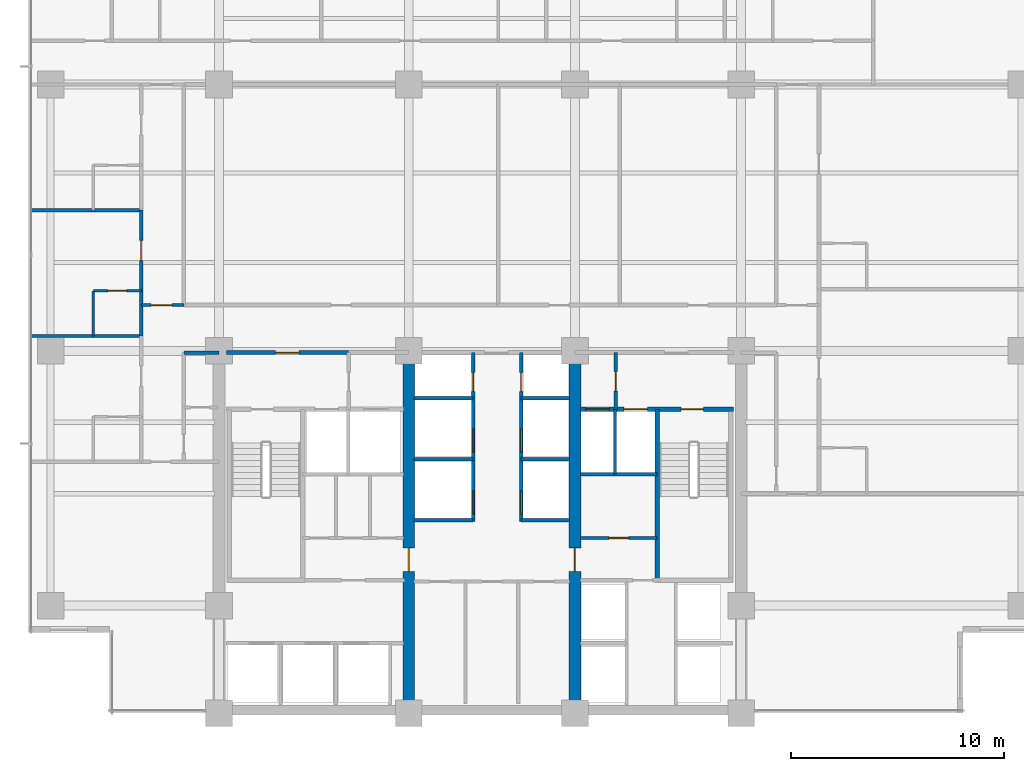
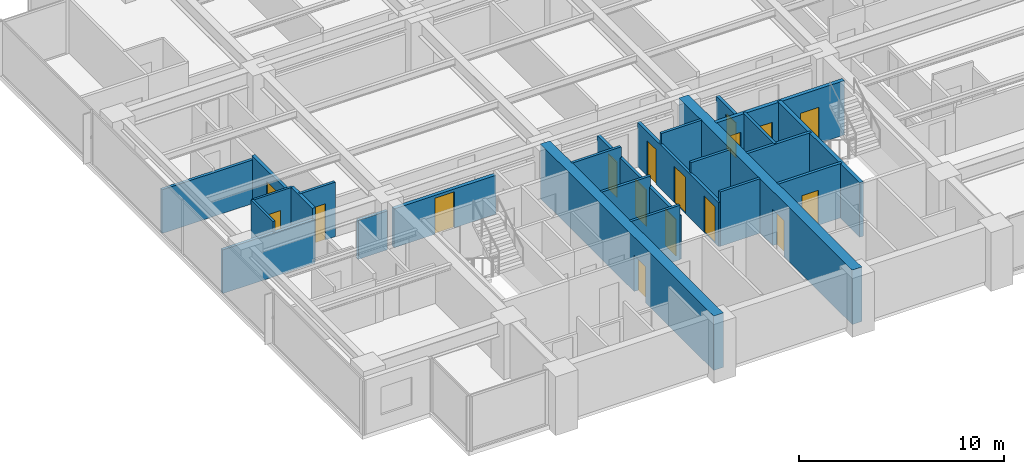
# One storey, part 9 of 17: 25 walls, 17 doors, 17 openings.
"""IFC4 building model written with IfcOpenShell, lengths in metres."""

import ifcopenshell
import ifcopenshell.guid

model = None  # the IFC model being written
_history = None  # IfcOwnerHistory: only IFC2X3 demands one
_inside = {}  # id of a spatial element -> (the spatial element, [elements in it])
_under = {}  # id of a project, library or spatial element -> (it, [spatial elements below it])
_declared = {}  # id of a project -> (the project, [libraries it declares])
_typed = {}  # id of a type object -> (the type object, [elements of that type])
_made_of = {}  # id of a material, layer set ... -> (it, [elements and type objects made of it])


def new_model(schema):
    """Start an empty IFC model of exactly this schema.

    Asked for "IFC4X3", IfcOpenShell would pick the latest addendum, in which some entities
    have other attributes; the version numbers below select the first issue.
    IFC2X3 requires an IfcOwnerHistory on every rooted entity: one is made here for all.
    """
    global model, _history
    if schema == "IFC4X3":
        model = ifcopenshell.file(schema_version=(4, 3, 0, 0))
    else:
        model = ifcopenshell.file(schema=schema)
    _inside.clear()
    _under.clear()
    _declared.clear()
    _typed.clear()
    _made_of.clear()
    _history = None
    if model.schema == "IFC2X3":
        org = make("IfcOrganization", Name="unknown")
        user = make(
            "IfcPersonAndOrganization",
            ThePerson=make("IfcPerson", FamilyName="unknown"),
            TheOrganization=org,
        )
        app = make(
            "IfcApplication",
            ApplicationDeveloper=org,
            Version="unknown",
            ApplicationFullName="unknown",
            ApplicationIdentifier="unknown",
        )
        _history = make(
            "IfcOwnerHistory",
            OwningUser=user,
            OwningApplication=app,
            ChangeAction="ADDED",
            CreationDate=0,
        )
    return model


def make(cls, **values):
    """One entity of the class cls with the attributes given. An attribute that is None is left unset."""
    return model.create_entity(
        cls, **{name: value for name, value in values.items() if value is not None}
    )


def rooted(cls, **values):
    """An entity with a GlobalId (a new one), such as an element, a storey or a relation."""
    return make(cls, GlobalId=ifcopenshell.guid.new(), OwnerHistory=_history, **values)


def si_unit(unit_type, name, prefix=None):
    """IfcSIUnit, for example si_unit("LENGTHUNIT", "METRE", prefix="MILLI")."""
    return make("IfcSIUnit", UnitType=unit_type, Prefix=prefix, Name=name)


def assignment(units):
    """IfcUnitAssignment: the units of a project."""
    return None if units is None else make("IfcUnitAssignment", Units=units)


def point(xyz):
    """IfcCartesianPoint."""
    return None if xyz is None else make("IfcCartesianPoint", Coordinates=xyz)


def direction(xyz):
    """IfcDirection."""
    return None if xyz is None else make("IfcDirection", DirectionRatios=xyz)


def frame(location, z_axis=None, x_axis=None):
    """IfcAxis2Placement3D, a coordinate frame: its origin and axes. An axis left out is left unset."""
    return make(
        "IfcAxis2Placement3D",
        Location=point(location),
        Axis=direction(z_axis),
        RefDirection=direction(x_axis),
    )


def frame_2d(location, x_axis=None):
    """IfcAxis2Placement2D, a coordinate frame in the plane: its origin and x axis."""
    return make(
        "IfcAxis2Placement2D", Location=point(location), RefDirection=direction(x_axis)
    )


def origin():
    """The frame at (0, 0, 0) with its axes left unset."""
    return frame((0.0, 0.0, 0.0))


def place(relative_to, where):
    """IfcLocalPlacement: puts the frame where relative to a parent placement (None: the world)."""
    return make(
        "IfcLocalPlacement", PlacementRelTo=relative_to, RelativePlacement=where
    )


def context(
    kind, dimensions, precision=None, world=None, true_north=None, identifier=None
):
    """IfcGeometricRepresentationContext, for example the 3D "Model" context."""
    return make(
        "IfcGeometricRepresentationContext",
        ContextIdentifier=identifier,
        ContextType=kind,
        CoordinateSpaceDimension=dimensions,
        Precision=precision,
        WorldCoordinateSystem=world,
        TrueNorth=true_north,
    )


def subcontext(parent, identifier, kind, view, scale=None):
    """IfcGeometricRepresentationSubContext, for example "Body" below "Model"."""
    return make(
        "IfcGeometricRepresentationSubContext",
        ContextIdentifier=identifier,
        ContextType=kind,
        ParentContext=parent,
        TargetScale=scale,
        TargetView=view,
    )


def project(units=None, contexts=None):
    """IfcProject with its units and contexts."""
    return rooted(
        "IfcProject",
        Name="project",
        RepresentationContexts=contexts,
        UnitsInContext=assignment(units),
    )


def spatial(cls, under=None, at=None, **own):
    """A site, building, storey or space (cls), placed at a placement, below another one or the project."""
    s = rooted(cls, ObjectPlacement=at, **own)
    if under is not None:
        _under.setdefault(under.id(), (under, []))[1].append(s)
    return s


def profile(cls, at=None, kind="AREA", **sizes):
    """A parametric profile (cls). Its sizes go by their IFC names, for example OverallWidth=200.0."""
    return make(cls, ProfileType=kind, Position=at, **sizes)


def rectangle(**sizes):
    """IfcRectangleProfileDef."""
    return profile("IfcRectangleProfileDef", **sizes)


def extrude(swept, where, along, depth):
    """IfcExtrudedAreaSolid: the profile swept, set in the frame where, extruded along a direction by depth."""
    return make(
        "IfcExtrudedAreaSolid",
        SweptArea=swept,
        Position=where,
        ExtrudedDirection=direction(along),
        Depth=depth,
    )


def shape(context_of_items, identifier, shape_type, items):
    """IfcShapeRepresentation: the items that make up one representation, for example the "Body"."""
    return make(
        "IfcShapeRepresentation",
        ContextOfItems=context_of_items,
        RepresentationIdentifier=identifier,
        RepresentationType=shape_type,
        Items=items,
    )


def material(Name=None, Category=None):
    """IfcMaterial."""
    return make("IfcMaterial", Name=Name, Category=Category)


def layer(
    of_material, thickness, ventilated=None, Name=None, Category=None, Priority=None
):
    """IfcMaterialLayer: one layer of a wall or slab, of a material (None: an air gap)."""
    return make(
        "IfcMaterialLayer",
        Material=of_material,
        LayerThickness=thickness,
        IsVentilated=ventilated,
        Name=Name,
        Category=Category,
        Priority=Priority,
    )


def layer_set(layers, Name=None):
    """IfcMaterialLayerSet."""
    return make("IfcMaterialLayerSet", MaterialLayers=layers, LayerSetName=Name)


def made_of(thing, what):
    """Note that an element or type object is made of a material, layer set ...; save() writes the relation."""
    if what is not None:
        _made_of.setdefault(what.id(), (what, []))[1].append(thing)
    return thing


def type_object(cls, material=None, **own):
    """A type object (cls), such as IfcWallType, which elements share."""
    return made_of(rooted(cls, **own), material)


def element(
    cls,
    number,
    at=None,
    inside=None,
    cuts=None,
    type_object=None,
    material=None,
    context=None,
    identifier="Body",
    shape_type=None,
    held_by="IfcProductDefinitionShape",
    body=None,
    shapes=None,
    **own,
):
    """One element of the class cls, such as IfcWall. Its Tag is "e" and its number.

    at: its placement. inside: the storey or other place that contains it. cuts: it is an
    opening in that element (IfcRelVoidsElement). A single representation is given by context,
    identifier, shape_type and body (its items); several are given by shapes. held_by: the class
    of the entity that holds the representations. save() writes the other relations.
    """
    e = rooted(cls, Tag="e%d" % number, ObjectPlacement=at, **own)
    if body is not None:
        shapes = [shape(context, identifier, shape_type, body)]
    if shapes is not None:
        e.Representation = make(held_by, Representations=shapes)
    if inside is not None:
        _inside.setdefault(inside.id(), (inside, []))[1].append(e)
    if cuts is not None:
        rooted(
            "IfcRelVoidsElement", RelatingBuildingElement=cuts, RelatedOpeningElement=e
        )
    if type_object is not None:
        _typed.setdefault(type_object.id(), (type_object, []))[1].append(e)
    return made_of(e, material)


def fill(opening, filler):
    """IfcRelFillsElement: the door or window that sits in an opening."""
    return rooted(
        "IfcRelFillsElement",
        RelatingOpeningElement=opening,
        RelatedBuildingElement=filler,
    )


def aggregate(whole, parts):
    """IfcRelAggregates: a whole, such as a stair, and the parts it consists of."""
    return rooted("IfcRelAggregates", RelatingObject=whole, RelatedObjects=parts)


def save(model, path):
    """Write the relations noted so far, then the file.

    IfcRelAggregates (storeys below a building ...), IfcRelContainedInSpatialStructure (elements
    in a storey), IfcRelDefinesByType, IfcRelAssociatesMaterial and IfcRelDeclares: one each for
    every whole, place, type object, material and project.
    """
    for whole, parts in _under.values():
        aggregate(whole, parts)
    for where, things in _inside.values():
        rooted(
            "IfcRelContainedInSpatialStructure",
            RelatedElements=things,
            RelatingStructure=where,
        )
    for kind, things in _typed.values():
        rooted("IfcRelDefinesByType", RelatedObjects=things, RelatingType=kind)
    for what, things in _made_of.values():
        rooted("IfcRelAssociatesMaterial", RelatedObjects=things, RelatingMaterial=what)
    for by, libraries in _declared.values():
        rooted("IfcRelDeclares", RelatingContext=by, RelatedDefinitions=libraries)
    model.write(path)


model = new_model("IFC4")

# Units and contexts
model_context = context("Model", 3, precision=1e-05, world=origin(), true_north=direction((0.0, 1.0)))
body_context = subcontext(model_context, "Body", "Model", "MODEL_VIEW")
ifc_project = project(units=[si_unit("LENGTHUNIT", "METRE"), si_unit("AREAUNIT", "SQUARE_METRE"), si_unit("VOLUMEUNIT", "CUBIC_METRE"), si_unit("PLANEANGLEUNIT", "RADIAN"), si_unit("MASSUNIT", "GRAM", prefix="KILO")], contexts=[model_context])

# Site, building, storey
site_placement = place(None, origin())
site = spatial("IfcSite", under=ifc_project, at=site_placement, CompositionType="ELEMENT")
building_placement = place(site_placement, origin())
building = spatial("IfcBuilding", under=site, at=building_placement, Name="Qalmaran Belvedere Hotel", CompositionType="ELEMENT")
storey_placement = place(building_placement, frame((0.0, 0.0, 98.699951171875)))
storey = spatial("IfcBuildingStorey", under=building, at=storey_placement, Name="L24", CompositionType="ELEMENT", Elevation=98.699951171875)

# Wall, opening, door
ifc_material_1 = material(Name="Concrete C60/75", Category="concrete")
ifc_layer_1 = layer(ifc_material_1, 0.550048828125, Name="Concrete C60/75")
ifc_layer_set_1 = layer_set([ifc_layer_1], Name="Concrete C60/75")
wall_type_1 = type_object("IfcWallType", Name="WL-CORE-550-C60", PredefinedType="SHEAR", material=ifc_layer_set_1)
wall_1_placement = place(storey_placement, frame((29.199951171875, 3.5, 0.0), z_axis=(0.0, 0.0, 1.0), x_axis=(0.0, 1.0, 0.0)))
wall_1 = element("IfcWall", 1, at=wall_1_placement, inside=storey, type_object=wall_type_1, Name="L24 Core West Spine Shear Wall", PredefinedType="SHEAR", context=body_context, shape_type="SweptSolid", body=[
    extrude(rectangle(XDim=16.89990234375, YDim=0.550048828125, at=frame_2d((8.449951171875, 0.0))), origin(), (0.0, 0.0, 1.0), 3.239990234375),
])
opening_1_placement = place(wall_1_placement, frame((7.75, 0.0, 0.0), z_axis=(0.0, 0.0, 1.0), x_axis=(-1.0, 0.0, 0.0)))
opening_1 = element("IfcOpeningElement", 2, at=opening_1_placement, cuts=wall_1, Name="Opening FD90", PredefinedType="OPENING", context=body_context, shape_type="SweptSolid", body=[
    extrude(rectangle(XDim=1.10009765625, YDim=2.14990234375, at=frame_2d((0.550048828125, 1.074951171875))), frame((0.0, 0.28515625, 0.0), z_axis=(0.0, -1.0, 0.0), x_axis=(1.0, 0.0, 0.0)), (0.0, 0.0, 1.0), 0.570068359375),
])
ifc_material_2 = material(Name="Steel S355JR", Category="steel")
door_type_1 = type_object("IfcDoorType", Name="DR-FD90-1100X2150", OperationType="NOTDEFINED", PredefinedType="DOOR", material=ifc_material_2)
door_1_placement = place(opening_1_placement, origin())
door_1 = element("IfcDoor", 3, at=door_1_placement, inside=storey, type_object=door_type_1, Name="L24 Core West Cross-Lobby Door", OperationType="SINGLE_SWING_LEFT", OverallHeight=2.14990234375, OverallWidth=1.10009765625, PredefinedType="DOOR", context=body_context, shape_type="SweptSolid", body=[
    extrude(rectangle(XDim=1.10009765625, YDim=2.14990234375, at=frame_2d((0.550048828125, 1.074951171875))), frame((0.0, 0.02490234375, 0.0), z_axis=(0.0, -1.0, 0.0), x_axis=(1.0, 0.0, 0.0)), (0.0, 0.0, 1.0), 0.050048828125),
])
fill(opening_1, door_1)

wall_2_placement = place(storey_placement, frame((37.0, 3.5, 0.0), z_axis=(0.0, 0.0, 1.0), x_axis=(0.0, 1.0, 0.0)))
wall_2 = element("IfcWall", 4, at=wall_2_placement, inside=storey, type_object=wall_type_1, Name="L24 Core East Spine Shear Wall", PredefinedType="SHEAR", context=body_context, shape_type="SweptSolid", body=[
    extrude(rectangle(XDim=16.89990234375, YDim=0.550048828125, at=frame_2d((8.449951171875, 0.0))), origin(), (0.0, 0.0, 1.0), 3.239990234375),
])
opening_2_placement = place(wall_2_placement, frame((6.64990234375, 0.0, 0.0)))
opening_2 = element("IfcOpeningElement", 5, at=opening_2_placement, cuts=wall_2, Name="Opening FD90", PredefinedType="OPENING", context=body_context, shape_type="SweptSolid", body=[
    extrude(rectangle(XDim=1.10009765625, YDim=2.14990234375, at=frame_2d((0.550048828125, 1.074951171875))), frame((0.0, 0.28515625, 0.0), z_axis=(0.0, -1.0, 0.0), x_axis=(1.0, 0.0, 0.0)), (0.0, 0.0, 1.0), 0.570068359375),
])
door_2_placement = place(opening_2_placement, origin())
door_2 = element("IfcDoor", 6, at=door_2_placement, inside=storey, type_object=door_type_1, Name="L24 Core East Cross-Lobby Door", OperationType="SINGLE_SWING_RIGHT", OverallHeight=2.14990234375, OverallWidth=1.10009765625, PredefinedType="DOOR", context=body_context, shape_type="SweptSolid", body=[
    extrude(rectangle(XDim=1.10009765625, YDim=2.14990234375, at=frame_2d((0.550048828125, 1.074951171875))), frame((0.0, 0.02490234375, 0.0), z_axis=(0.0, -1.0, 0.0), x_axis=(1.0, 0.0, 0.0)), (0.0, 0.0, 1.0), 0.050048828125),
])
fill(opening_2, door_2)

ifc_material_3 = material(Name="Moisture-Resistant Gypsum")
ifc_layer_2 = layer(ifc_material_3, 0.1201171875, Name="Moisture-Resistant Gypsum")
ifc_layer_set_2 = layer_set([ifc_layer_2], Name="Moisture-Resistant Gypsum")
wall_type_2 = type_object("IfcWallType", Name="WL-INT-120-BATH", PredefinedType="PARTITIONING", material=ifc_layer_set_2)
wall_3_placement = place(storey_placement, frame((14.39990234375, 23.320068359375, 0.0), z_axis=(0.0, 0.0, 1.0), x_axis=(1.0, 0.0, 0.0)))
wall_3 = element("IfcWall", 7, at=wall_3_placement, inside=storey, type_object=wall_type_2, Name="L24 Partition WL-L24-WBN01", PredefinedType="PARTITIONING", context=body_context, shape_type="SweptSolid", body=[
    extrude(rectangle(XDim=2.25, YDim=0.1201171875, at=frame_2d((1.125, 0.0))), origin(), (0.0, 0.0, 1.0), 3.239990234375),
])
opening_3_placement = place(wall_3_placement, frame((1.56494140625, 0.0, 0.0), z_axis=(0.0, 0.0, 1.0), x_axis=(-1.0, 0.0, 0.0)))
opening_3 = element("IfcOpeningElement", 8, at=opening_3_placement, cuts=wall_3, Name="Opening D-BATH", PredefinedType="OPENING", context=body_context, shape_type="SweptSolid", body=[
    extrude(rectangle(XDim=0.8798828125, YDim=2.080078125, at=frame_2d((0.43994140625, 1.0400390625))), frame((0.0, 0.070068359375, 0.0), z_axis=(0.0, -1.0, 0.0), x_axis=(1.0, 0.0, 0.0)), (0.0, 0.0, 1.0), 0.14013671875),
])
ifc_material_4 = material(Name="Engineered Oak Veneer")
door_type_2 = type_object("IfcDoorType", Name="DR-INT-BATH-880X2080", OperationType="NOTDEFINED", PredefinedType="DOOR", material=ifc_material_4)
door_3_placement = place(opening_3_placement, origin())
door_3 = element("IfcDoor", 9, at=door_3_placement, inside=storey, type_object=door_type_2, Name="L24 W Ensuite Door 02", OperationType="SINGLE_SWING_RIGHT", OverallHeight=2.080078125, OverallWidth=0.8798828125, PredefinedType="DOOR", context=body_context, shape_type="SweptSolid", body=[
    extrude(rectangle(XDim=0.8798828125, YDim=2.080078125, at=frame_2d((0.43994140625, 1.0400390625))), frame((0.0, 0.02490234375, 0.0), z_axis=(0.0, -1.0, 0.0), x_axis=(1.0, 0.0, 0.0)), (0.0, 0.0, 1.0), 0.050048828125),
])
fill(opening_3, door_3)

# Walls
wall_4_placement = place(storey_placement, frame((14.39990234375, 21.199951171875, 0.0), z_axis=(0.0, 0.0, 1.0), x_axis=(0.0, 1.0, 0.0)))
element("IfcWall", 10, at=wall_4_placement, inside=storey, type_object=wall_type_2, Name="L24 Partition WL-L24-WBS01", PredefinedType="PARTITIONING", context=body_context, shape_type="SweptSolid", body=[
    extrude(rectangle(XDim=2.1201171875, YDim=0.1201171875, at=frame_2d((1.06005859375, 0.0))), origin(), (0.0, 0.0, 1.0), 3.239990234375),
])
ifc_material_5 = material(Name="Gypsum Stud Partition")
ifc_layer_3 = layer(ifc_material_5, 0.14990234375, Name="Gypsum Stud Partition")
ifc_layer_set_3 = layer_set([ifc_layer_3], Name="Gypsum Stud Partition")
wall_type_3 = type_object("IfcWallType", Name="WL-INT-150-EI120", PredefinedType="PARTITIONING", material=ifc_layer_set_3)
wall_5_placement = place(storey_placement, frame((38.8798828125, 14.719970703125, 0.0), z_axis=(0.0, 0.0, 1.0), x_axis=(0.0, 1.0, 0.0)))
element("IfcWall", 11, at=wall_5_placement, inside=storey, type_object=wall_type_3, Name="L24 Partition WL-FF2M-L24", PredefinedType="PARTITIONING", context=body_context, shape_type="SweptSolid", body=[
    extrude(rectangle(XDim=3.0400390625, YDim=0.14990234375, at=frame_2d((1.52001953125, 0.0))), origin(), (0.0, 0.0, 1.0), 3.239990234375),
])
wall_6_placement = place(storey_placement, frame((29.449951171875, 12.550048828125, 0.0), z_axis=(0.0, 0.0, 1.0), x_axis=(1.0, 0.0, 0.0)))
element("IfcWall", 12, at=wall_6_placement, inside=storey, type_object=wall_type_3, Name="L24 Partition WL-PMW-L24-125", PredefinedType="PARTITIONING", context=body_context, shape_type="SweptSolid", body=[
    extrude(rectangle(XDim=2.77001953125, YDim=0.14990234375, at=frame_2d((1.385009765625, 0.0))), origin(), (0.0, 0.0, 1.0), 3.239990234375),
])
wall_7_placement = place(storey_placement, frame((34.47998046875, 12.550048828125, 0.0), z_axis=(0.0, 0.0, 1.0), x_axis=(1.0, 0.0, 0.0)))
element("IfcWall", 13, at=wall_7_placement, inside=storey, type_object=wall_type_3, Name="L24 Partition WL-PME-L24-125", PredefinedType="PARTITIONING", context=body_context, shape_type="SweptSolid", body=[
    extrude(rectangle(XDim=2.27001953125, YDim=0.14990234375, at=frame_2d((1.135009765625, 0.0))), origin(), (0.0, 0.0, 1.0), 3.239990234375),
])
wall_8_placement = place(storey_placement, frame((29.449951171875, 15.419921875, 0.0), z_axis=(0.0, 0.0, 1.0), x_axis=(1.0, 0.0, 0.0)))
element("IfcWall", 14, at=wall_8_placement, inside=storey, type_object=wall_type_3, Name="L24 Partition WL-PMW-L24-154", PredefinedType="PARTITIONING", context=body_context, shape_type="SweptSolid", body=[
    extrude(rectangle(XDim=2.77001953125, YDim=0.14990234375, at=frame_2d((1.385009765625, 0.0))), origin(), (0.0, 0.0, 1.0), 3.239990234375),
])
wall_9_placement = place(storey_placement, frame((34.47998046875, 15.419921875, 0.0), z_axis=(0.0, 0.0, 1.0), x_axis=(1.0, 0.0, 0.0)))
element("IfcWall", 15, at=wall_9_placement, inside=storey, type_object=wall_type_3, Name="L24 Partition WL-PME-L24-154", PredefinedType="PARTITIONING", context=body_context, shape_type="SweptSolid", body=[
    extrude(rectangle(XDim=2.27001953125, YDim=0.14990234375, at=frame_2d((1.135009765625, 0.0))), origin(), (0.0, 0.0, 1.0), 3.239990234375),
])
wall_10_placement = place(storey_placement, frame((29.449951171875, 18.280029296875, 0.0), z_axis=(0.0, 0.0, 1.0), x_axis=(1.0, 0.0, 0.0)))
element("IfcWall", 16, at=wall_10_placement, inside=storey, type_object=wall_type_3, Name="L24 Partition WL-PMW-L24-182", PredefinedType="PARTITIONING", context=body_context, shape_type="SweptSolid", body=[
    extrude(rectangle(XDim=2.77001953125, YDim=0.14990234375, at=frame_2d((1.385009765625, 0.0))), origin(), (0.0, 0.0, 1.0), 3.239990234375),
])
wall_11_placement = place(storey_placement, frame((34.47998046875, 18.280029296875, 0.0), z_axis=(0.0, 0.0, 1.0), x_axis=(1.0, 0.0, 0.0)))
element("IfcWall", 17, at=wall_11_placement, inside=storey, type_object=wall_type_3, Name="L24 Partition WL-PME-L24-182", PredefinedType="PARTITIONING", context=body_context, shape_type="SweptSolid", body=[
    extrude(rectangle(XDim=2.27001953125, YDim=0.14990234375, at=frame_2d((1.135009765625, 0.0))), origin(), (0.0, 0.0, 1.0), 3.239990234375),
])

# Wall, opening, door
ifc_layer_4 = layer(ifc_material_5, 0.14990234375, Name="Gypsum Stud Partition")
ifc_layer_set_4 = layer_set([ifc_layer_4], Name="Gypsum Stud Partition")
wall_type_4 = type_object("IfcWallType", Name="WL-INT-150-EI60", PredefinedType="PARTITIONING", material=ifc_layer_set_4)
wall_12_placement = place(storey_placement, frame((16.64990234375, 22.64990234375, 0.0), z_axis=(0.0, 0.0, 1.0), x_axis=(1.0, 0.0, 0.0)))
wall_12 = element("IfcWall", 18, at=wall_12_placement, inside=storey, type_object=wall_type_4, Name="L24 Partition WL-L24-XCW1", PredefinedType="PARTITIONING", context=body_context, shape_type="SweptSolid", body=[
    extrude(rectangle(XDim=2.0, YDim=0.14990234375, at=frame_2d((1.0, 0.0))), origin(), (0.0, 0.0, 1.0), 3.239990234375),
])
opening_4_placement = place(wall_12_placement, frame((0.449951171875, 0.0, 0.0)))
opening_4 = element("IfcOpeningElement", 19, at=opening_4_placement, cuts=wall_12, Name="Opening FD90B", PredefinedType="OPENING", context=body_context, shape_type="SweptSolid", body=[
    extrude(rectangle(XDim=1.0, YDim=2.14990234375, at=frame_2d((0.5, 1.074951171875))), frame((0.0, 0.0849609375, 0.0), z_axis=(0.0, -1.0, 0.0), x_axis=(1.0, 0.0, 0.0)), (0.0, 0.0, 1.0), 0.169921875),
])
door_type_3 = type_object("IfcDoorType", Name="DR-FD90B-1000X2150", OperationType="NOTDEFINED", PredefinedType="DOOR", material=ifc_material_2)
door_4_placement = place(opening_4_placement, origin())
door_4 = element("IfcDoor", 20, at=door_4_placement, inside=storey, type_object=door_type_3, Name="L24 West Corridor Smoke Door S", OperationType="SINGLE_SWING_LEFT", OverallHeight=2.14990234375, OverallWidth=1.0, PredefinedType="DOOR", context=body_context, shape_type="SweptSolid", body=[
    extrude(rectangle(XDim=1.0, YDim=2.14990234375, at=frame_2d((0.5, 1.074951171875))), frame((0.0, 0.02490234375, 0.0), z_axis=(0.0, -1.0, 0.0), x_axis=(1.0, 0.0, 0.0)), (0.0, 0.0, 1.0), 0.050048828125),
])
fill(opening_4, door_4)

ifc_layer_5 = layer(ifc_material_5, 0.159912109375, Name="Gypsum Stud Partition")
ifc_layer_set_5 = layer_set([ifc_layer_5], Name="Gypsum Stud Partition")
wall_type_5 = type_object("IfcWallType", Name="WL-INT-160-EI120", PredefinedType="PARTITIONING", material=ifc_layer_set_5)
wall_13_placement = place(storey_placement, frame((38.919921875, 17.760009765625, 0.0), z_axis=(0.0, 0.0, 1.0), x_axis=(0.0, 1.0, 0.0)))
wall_13 = element("IfcWall", 21, at=wall_13_placement, inside=storey, type_object=wall_type_5, Name="L24 Partition WL-FFSV2-L24", PredefinedType="PARTITIONING", context=body_context, shape_type="SweptSolid", body=[
    extrude(rectangle(XDim=2.659912109375, YDim=0.159912109375, at=frame_2d((1.330078125, 0.0))), origin(), (0.0, 0.0, 1.0), 2.614013671875),
])
opening_5_placement = place(wall_13_placement, frame((1.77001953125, 0.0, 0.0), z_axis=(0.0, 0.0, 1.0), x_axis=(-1.0, 0.0, 0.0)))
opening_5 = element("IfcOpeningElement", 22, at=opening_5_placement, cuts=wall_13, Name="Opening FD60S1", PredefinedType="OPENING", context=body_context, shape_type="SweptSolid", body=[
    extrude(rectangle(XDim=0.919921875, YDim=2.080078125, at=frame_2d((0.4599609375, 1.0400390625))), frame((0.0, 0.08984375, 0.0), z_axis=(0.0, -1.0, 0.0), x_axis=(1.0, 0.0, 0.0)), (0.0, 0.0, 1.0), 0.179931640625),
])
door_type_4 = type_object("IfcDoorType", Name="DR-FD60S-920X2080", OperationType="NOTDEFINED", PredefinedType="DOOR", material=ifc_material_4)
door_5_placement = place(opening_5_placement, origin())
door_5 = element("IfcDoor", 23, at=door_5_placement, inside=storey, type_object=door_type_4, Name="L24 Service Lobby East Door", OperationType="SINGLE_SWING_RIGHT", OverallHeight=2.080078125, OverallWidth=0.919921875, PredefinedType="DOOR", context=body_context, shape_type="SweptSolid", body=[
    extrude(rectangle(XDim=0.919921875, YDim=2.080078125, at=frame_2d((0.4599609375, 1.0400390625))), frame((0.0, 0.02490234375, 0.0), z_axis=(0.0, -1.0, 0.0), x_axis=(1.0, 0.0, 0.0)), (0.0, 0.0, 1.0), 0.050048828125),
])
fill(opening_5, door_5)

# Wall
wall_14_placement = place(storey_placement, frame((37.25, 14.719970703125, 0.0), z_axis=(0.0, 0.0, 1.0), x_axis=(1.0, 0.0, 0.0)))
element("IfcWall", 24, at=wall_14_placement, inside=storey, type_object=wall_type_5, Name="L24 Partition WL-FF2S-L24", PredefinedType="PARTITIONING", context=body_context, shape_type="SweptSolid", body=[
    extrude(rectangle(XDim=3.610107421875, YDim=0.159912109375, at=frame_2d((1.80517578125, 0.0))), origin(), (0.0, 0.0, 1.0), 3.239990234375),
])

# Wall, openings, doors
wall_15_placement = place(storey_placement, frame((32.219970703125, 12.5, 0.0), z_axis=(0.0, 0.0, 1.0), x_axis=(0.0, 1.0, 0.0)))
wall_15 = element("IfcWall", 25, at=wall_15_placement, inside=storey, type_object=wall_type_5, Name="L24 Partition WL-CLBWN-L24", PredefinedType="PARTITIONING", context=body_context, shape_type="SweptSolid", body=[
    extrude(rectangle(XDim=7.919921875, YDim=0.159912109375, at=frame_2d((3.9599609375, 0.0))), origin(), (0.0, 0.0, 1.0), 2.614013671875),
])
opening_6_placement = place(wall_15_placement, frame((1.43017578125, 0.0, 0.0), z_axis=(0.0, 0.0, 1.0), x_axis=(-1.0, 0.0, 0.0)))
opening_6 = element("IfcOpeningElement", 26, at=opening_6_placement, cuts=wall_15, Name="Opening LD-P1", PredefinedType="OPENING", context=body_context, shape_type="SweptSolid", body=[
    extrude(rectangle(XDim=1.080078125, YDim=2.159912109375, at=frame_2d((0.5400390625, 1.080078125))), frame((0.0, 0.08984375, 0.0), z_axis=(0.0, -1.0, 0.0), x_axis=(1.0, 0.0, 0.0)), (0.0, 0.0, 1.0), 0.179931640625),
])
opening_7_placement = place(wall_15_placement, frame((4.330078125, 0.0, 0.0), z_axis=(0.0, 0.0, 1.0), x_axis=(-1.0, 0.0, 0.0)))
opening_7 = element("IfcOpeningElement", 27, at=opening_7_placement, cuts=wall_15, Name="Opening LD-P1", PredefinedType="OPENING", context=body_context, shape_type="SweptSolid", body=[
    extrude(rectangle(XDim=1.080078125, YDim=2.159912109375, at=frame_2d((0.5400390625, 1.080078125))), frame((0.0, 0.08984375, 0.0), z_axis=(0.0, -1.0, 0.0), x_axis=(1.0, 0.0, 0.0)), (0.0, 0.0, 1.0), 0.179931640625),
])
opening_8_placement = place(wall_15_placement, frame((6.10009765625, 0.0, 0.0)))
opening_8 = element("IfcOpeningElement", 28, at=opening_8_placement, cuts=wall_15, Name="Opening FD60B", PredefinedType="OPENING", context=body_context, shape_type="SweptSolid", body=[
    extrude(rectangle(XDim=0.8798828125, YDim=2.080078125, at=frame_2d((0.43994140625, 1.0400390625))), frame((0.0, 0.08984375, 0.0), z_axis=(0.0, -1.0, 0.0), x_axis=(1.0, 0.0, 0.0)), (0.0, 0.0, 1.0), 0.179931640625),
])
door_type_5 = type_object("IfcDoorType", Name="DR-FD60B-880X2080", OperationType="NOTDEFINED", PredefinedType="DOOR", material=ifc_material_2)
door_6_placement = place(opening_8_placement, origin())
door_6 = element("IfcDoor", 29, at=door_6_placement, inside=storey, type_object=door_type_5, Name="L24 West Riser Access Door", OperationType="SINGLE_SWING_LEFT", OverallHeight=2.080078125, OverallWidth=0.8798828125, PredefinedType="DOOR", context=body_context, shape_type="SweptSolid", body=[
    extrude(rectangle(XDim=0.8798828125, YDim=2.080078125, at=frame_2d((0.43994140625, 1.0400390625))), frame((0.0, 0.02490234375, 0.0), z_axis=(0.0, -1.0, 0.0), x_axis=(1.0, 0.0, 0.0)), (0.0, 0.0, 1.0), 0.050048828125),
])
fill(opening_8, door_6)
ifc_material_6 = material(Name="Stainless Steel 1.4401", Category="steel")
door_type_6 = type_object("IfcDoorType", Name="DR-LIFT-P1-1080X2160", OperationType="DOUBLE_DOOR_SLIDING", PredefinedType="DOOR", material=ifc_material_6)
door_7_placement = place(opening_6_placement, origin())
door_7 = element("IfcDoor", 30, at=door_7_placement, inside=storey, type_object=door_type_6, Name="L24 PM1 Lift Landing Door", OperationType="DOUBLE_DOOR_SLIDING", OverallHeight=2.159912109375, OverallWidth=1.080078125, PredefinedType="DOOR", context=body_context, shape_type="SweptSolid", body=[
    extrude(rectangle(XDim=1.080078125, YDim=2.159912109375, at=frame_2d((0.5400390625, 1.080078125))), frame((0.0, 0.02490234375, 0.0), z_axis=(0.0, -1.0, 0.0), x_axis=(1.0, 0.0, 0.0)), (0.0, 0.0, 1.0), 0.050048828125),
])
fill(opening_6, door_7)
door_8_placement = place(opening_7_placement, origin())
door_8 = element("IfcDoor", 31, at=door_8_placement, inside=storey, type_object=door_type_6, Name="L24 PM2 Lift Landing Door", OperationType="DOUBLE_DOOR_SLIDING", OverallHeight=2.159912109375, OverallWidth=1.080078125, PredefinedType="DOOR", context=body_context, shape_type="SweptSolid", body=[
    extrude(rectangle(XDim=1.080078125, YDim=2.159912109375, at=frame_2d((0.5400390625, 1.080078125))), frame((0.0, 0.02490234375, 0.0), z_axis=(0.0, -1.0, 0.0), x_axis=(1.0, 0.0, 0.0)), (0.0, 0.0, 1.0), 0.050048828125),
])
fill(opening_7, door_8)

wall_16_placement = place(storey_placement, frame((34.47998046875, 12.5, 0.0), z_axis=(0.0, 0.0, 1.0), x_axis=(0.0, 1.0, 0.0)))
wall_16 = element("IfcWall", 32, at=wall_16_placement, inside=storey, type_object=wall_type_5, Name="L24 Partition WL-CLBEN-L24", PredefinedType="PARTITIONING", context=body_context, shape_type="SweptSolid", body=[
    extrude(rectangle(XDim=7.919921875, YDim=0.159912109375, at=frame_2d((3.9599609375, 0.0))), origin(), (0.0, 0.0, 1.0), 2.614013671875),
])
opening_9_placement = place(wall_16_placement, frame((0.35009765625, 0.0, 0.0)))
opening_9 = element("IfcOpeningElement", 33, at=opening_9_placement, cuts=wall_16, Name="Opening LD-P1", PredefinedType="OPENING", context=body_context, shape_type="SweptSolid", body=[
    extrude(rectangle(XDim=1.080078125, YDim=2.159912109375, at=frame_2d((0.5400390625, 1.080078125))), frame((0.0, 0.08984375, 0.0), z_axis=(0.0, -1.0, 0.0), x_axis=(1.0, 0.0, 0.0)), (0.0, 0.0, 1.0), 0.179931640625),
])
opening_10_placement = place(wall_16_placement, frame((3.25, 0.0, 0.0)))
opening_10 = element("IfcOpeningElement", 34, at=opening_10_placement, cuts=wall_16, Name="Opening LD-P1", PredefinedType="OPENING", context=body_context, shape_type="SweptSolid", body=[
    extrude(rectangle(XDim=1.080078125, YDim=2.159912109375, at=frame_2d((0.5400390625, 1.080078125))), frame((0.0, 0.08984375, 0.0), z_axis=(0.0, -1.0, 0.0), x_axis=(1.0, 0.0, 0.0)), (0.0, 0.0, 1.0), 0.179931640625),
])
opening_11_placement = place(wall_16_placement, frame((6.97998046875, 0.0, 0.0), z_axis=(0.0, 0.0, 1.0), x_axis=(-1.0, 0.0, 0.0)))
opening_11 = element("IfcOpeningElement", 35, at=opening_11_placement, cuts=wall_16, Name="Opening FD60B", PredefinedType="OPENING", context=body_context, shape_type="SweptSolid", body=[
    extrude(rectangle(XDim=0.8798828125, YDim=2.080078125, at=frame_2d((0.43994140625, 1.0400390625))), frame((0.0, 0.08984375, 0.0), z_axis=(0.0, -1.0, 0.0), x_axis=(1.0, 0.0, 0.0)), (0.0, 0.0, 1.0), 0.179931640625),
])
door_9_placement = place(opening_11_placement, origin())
door_9 = element("IfcDoor", 36, at=door_9_placement, inside=storey, type_object=door_type_5, Name="L24 East Riser Access Door", OperationType="SINGLE_SWING_RIGHT", OverallHeight=2.080078125, OverallWidth=0.8798828125, PredefinedType="DOOR", context=body_context, shape_type="SweptSolid", body=[
    extrude(rectangle(XDim=0.8798828125, YDim=2.080078125, at=frame_2d((0.43994140625, 1.0400390625))), frame((0.0, 0.02490234375, 0.0), z_axis=(0.0, -1.0, 0.0), x_axis=(1.0, 0.0, 0.0)), (0.0, 0.0, 1.0), 0.050048828125),
])
fill(opening_11, door_9)
door_10_placement = place(opening_9_placement, origin())
door_10 = element("IfcDoor", 37, at=door_10_placement, inside=storey, type_object=door_type_6, Name="L24 PM3 Lift Landing Door", OperationType="DOUBLE_DOOR_SLIDING", OverallHeight=2.159912109375, OverallWidth=1.080078125, PredefinedType="DOOR", context=body_context, shape_type="SweptSolid", body=[
    extrude(rectangle(XDim=1.080078125, YDim=2.159912109375, at=frame_2d((0.5400390625, 1.080078125))), frame((0.0, 0.02490234375, 0.0), z_axis=(0.0, -1.0, 0.0), x_axis=(1.0, 0.0, 0.0)), (0.0, 0.0, 1.0), 0.050048828125),
])
fill(opening_9, door_10)
door_11_placement = place(opening_10_placement, origin())
door_11 = element("IfcDoor", 38, at=door_11_placement, inside=storey, type_object=door_type_6, Name="L24 PM4 Lift Landing Door", OperationType="DOUBLE_DOOR_SLIDING", OverallHeight=2.159912109375, OverallWidth=1.080078125, PredefinedType="DOOR", context=body_context, shape_type="SweptSolid", body=[
    extrude(rectangle(XDim=1.080078125, YDim=2.159912109375, at=frame_2d((0.5400390625, 1.080078125))), frame((0.0, 0.02490234375, 0.0), z_axis=(0.0, -1.0, 0.0), x_axis=(1.0, 0.0, 0.0)), (0.0, 0.0, 1.0), 0.050048828125),
])
fill(opening_10, door_11)

# Wall, opening, door
ifc_layer_6 = layer(ifc_material_5, 0.159912109375, Name="Gypsum Stud Partition")
ifc_layer_set_6 = layer_set([ifc_layer_6], Name="Gypsum Stud Partition")
wall_type_6 = type_object("IfcWallType", Name="WL-INT-160-EI60", PredefinedType="PARTITIONING", material=ifc_layer_set_6)
wall_17_placement = place(storey_placement, frame((37.25, 11.719970703125, 0.0), z_axis=(0.0, 0.0, 1.0), x_axis=(1.0, 0.0, 0.0)))
wall_17 = element("IfcWall", 39, at=wall_17_placement, inside=storey, type_object=wall_type_6, Name="L24 Partition WL-L24-KEE1", PredefinedType="PARTITIONING", context=body_context, shape_type="SweptSolid", body=[
    extrude(rectangle(XDim=3.610107421875, YDim=0.159912109375, at=frame_2d((1.80517578125, 0.0))), origin(), (0.0, 0.0, 1.0), 3.239990234375),
])
opening_12_placement = place(wall_17_placement, frame((1.344970703125, 0.0, 0.0)))
opening_12 = element("IfcOpeningElement", 40, at=opening_12_placement, cuts=wall_17, Name="Opening FD60S1", PredefinedType="OPENING", context=body_context, shape_type="SweptSolid", body=[
    extrude(rectangle(XDim=0.919921875, YDim=2.080078125, at=frame_2d((0.4599609375, 1.0400390625))), frame((0.0, 0.08984375, 0.0), z_axis=(0.0, -1.0, 0.0), x_axis=(1.0, 0.0, 0.0)), (0.0, 0.0, 1.0), 0.179931640625),
])
door_12_placement = place(opening_12_placement, origin())
door_12 = element("IfcDoor", 41, at=door_12_placement, inside=storey, type_object=door_type_4, Name="L24 Guest Ice and Beverage Pantry Door", OperationType="SINGLE_SWING_LEFT", OverallHeight=2.080078125, OverallWidth=0.919921875, PredefinedType="DOOR", context=body_context, shape_type="SweptSolid", body=[
    extrude(rectangle(XDim=0.919921875, YDim=2.080078125, at=frame_2d((0.4599609375, 1.0400390625))), frame((0.0, 0.02490234375, 0.0), z_axis=(0.0, -1.0, 0.0), x_axis=(1.0, 0.0, 0.0)), (0.0, 0.0, 1.0), 0.050048828125),
])
fill(opening_12, door_12)

# Walls
wall_18_placement = place(storey_placement, frame((18.64990234375, 20.419921875, 0.0), z_axis=(0.0, 0.0, 1.0), x_axis=(1.0, 0.0, 0.0)))
element("IfcWall", 42, at=wall_18_placement, inside=storey, type_object=wall_type_6, Name="L24 Partition WL-L24-WCLN", PredefinedType="PARTITIONING", context=body_context, shape_type="SweptSolid", body=[
    extrude(rectangle(XDim=1.650146484375, YDim=0.159912109375, at=frame_2d((0.8251953125, 0.0))), origin(), (0.0, 0.0, 1.0), 2.31298828125),
])
for number, where, z_axis, x_axis, name in (
    (43, (11.469970703125, 21.199951171875, 0.0), (0.0, 0.0, 1.0), (1.0, 0.0, 0.0), "L24 Partition WL-L24-WU00"),
    (44, (11.469970703125, 27.10009765625, 0.0), (0.0, 0.0, 1.0), (1.0, 0.0, 0.0), "L24 Partition WL-L24-WU01"),
):
    element("IfcWall", number, at=place(storey_placement, frame(where, z_axis=z_axis, x_axis=x_axis)), inside=storey, type_object=wall_type_6, Name=name, PredefinedType="PARTITIONING", context=body_context, shape_type="SweptSolid", body=[
        extrude(rectangle(XDim=5.179931640625, YDim=0.159912109375, at=frame_2d((2.58984375, 0.0))), origin(), (0.0, 0.0, 1.0), 2.60302734375),
    ])
ifc_layer_7 = layer(ifc_material_5, 0.179931640625, Name="Gypsum Stud Partition")
ifc_layer_set_7 = layer_set([ifc_layer_7], Name="Gypsum Stud Partition")
wall_type_7 = type_object("IfcWallType", Name="WL-INT-180-EI60", PredefinedType="PARTITIONING", material=ifc_layer_set_7)
wall_19_placement = place(storey_placement, frame((16.64990234375, 21.199951171875, 0.0), z_axis=(0.0, 0.0, 1.0), x_axis=(0.0, 1.0, 0.0)))
element("IfcWall", 45, at=wall_19_placement, inside=storey, type_object=wall_type_7, Name="L24 Partition WL-L24-WBC01", PredefinedType="PARTITIONING", context=body_context, shape_type="SweptSolid", body=[
    extrude(rectangle(XDim=2.1201171875, YDim=0.179931640625, at=frame_2d((1.06005859375, 0.0))), origin(), (0.0, 0.0, 1.0), 3.239990234375),
])

# Wall, opening, door
wall_20_placement = place(storey_placement, frame((16.64990234375, 23.320068359375, 0.0), z_axis=(0.0, 0.0, 1.0), x_axis=(0.0, 1.0, 0.0)))
wall_20 = element("IfcWall", 46, at=wall_20_placement, inside=storey, type_object=wall_type_7, Name="L24 Partition WL-L24-WEC01", PredefinedType="PARTITIONING", context=body_context, shape_type="SweptSolid", body=[
    extrude(rectangle(XDim=3.780029296875, YDim=0.179931640625, at=frame_2d((1.89013671875, 0.0))), origin(), (0.0, 0.0, 1.0), 2.818115234375),
])
opening_13_placement = place(wall_20_placement, frame((1.4150390625, 0.0, 0.0)))
opening_13 = element("IfcOpeningElement", 47, at=opening_13_placement, cuts=wall_20, Name="Opening FD60", PredefinedType="OPENING", context=body_context, shape_type="SweptSolid", body=[
    extrude(rectangle(XDim=0.949951171875, YDim=2.14990234375, at=frame_2d((0.47509765625, 1.074951171875))), frame((0.0, 0.10009765625, 0.0), z_axis=(0.0, -1.0, 0.0), x_axis=(1.0, 0.0, 0.0)), (0.0, 0.0, 1.0), 0.199951171875),
])
door_type_7 = type_object("IfcDoorType", Name="DR-FD60-950X2150", OperationType="NOTDEFINED", PredefinedType="DOOR", material=ifc_material_4)
door_13_placement = place(opening_13_placement, origin())
door_13 = element("IfcDoor", 48, at=door_13_placement, inside=storey, type_object=door_type_7, Name="L24 W Wing Door 02", OperationType="SINGLE_SWING_LEFT", OverallHeight=2.14990234375, OverallWidth=0.949951171875, PredefinedType="DOOR", context=body_context, shape_type="SweptSolid", body=[
    extrude(rectangle(XDim=0.949951171875, YDim=2.14990234375, at=frame_2d((0.47509765625, 1.074951171875))), frame((0.0, 0.02490234375, 0.0), z_axis=(0.0, -1.0, 0.0), x_axis=(1.0, 0.0, 0.0)), (0.0, 0.0, 1.0), 0.050048828125),
])
fill(opening_13, door_13)

ifc_material_7 = material(Name="Concrete C30/37 Blockwork", Category="masonry")
ifc_layer_8 = layer(ifc_material_7, 0.199951171875, Name="Concrete C30/37 Blockwork")
ifc_layer_set_8 = layer_set([ifc_layer_8], Name="Concrete C30/37 Blockwork")
wall_type_8 = type_object("IfcWallType", Name="WL-INT-200-EI120", PredefinedType="PARTITIONING", material=ifc_layer_set_8)
wall_21_placement = place(storey_placement, frame((20.64990234375, 20.419921875, 0.0), z_axis=(0.0, 0.0, 1.0), x_axis=(1.0, 0.0, 0.0)))
wall_21 = element("IfcWall", 49, at=wall_21_placement, inside=storey, type_object=wall_type_8, Name="L24 Partition WL-CN1A-L24", PredefinedType="PARTITIONING", context=body_context, shape_type="SweptSolid", body=[
    extrude(rectangle(XDim=5.72998046875, YDim=0.199951171875, at=frame_2d((2.864990234375, 0.0))), origin(), (0.0, 0.0, 1.0), 2.31298828125),
])
opening_14_placement = place(wall_21_placement, frame((2.300048828125, 0.0, 0.0)))
opening_14 = element("IfcOpeningElement", 50, at=opening_14_placement, cuts=wall_21, Name="Opening FD90", PredefinedType="OPENING", context=body_context, shape_type="SweptSolid", body=[
    extrude(rectangle(XDim=1.10009765625, YDim=2.14990234375, at=frame_2d((0.550048828125, 1.074951171875))), frame((0.0, 0.10986328125, 0.0), z_axis=(0.0, -1.0, 0.0), x_axis=(1.0, 0.0, 0.0)), (0.0, 0.0, 1.0), 0.219970703125),
])
door_14_placement = place(opening_14_placement, origin())
door_14 = element("IfcDoor", 51, at=door_14_placement, inside=storey, type_object=door_type_1, Name="L24 FF1 Lobby Corridor Door", OperationType="SINGLE_SWING_LEFT", OverallHeight=2.14990234375, OverallWidth=1.10009765625, PredefinedType="DOOR", context=body_context, shape_type="SweptSolid", body=[
    extrude(rectangle(XDim=1.10009765625, YDim=2.14990234375, at=frame_2d((0.550048828125, 1.074951171875))), frame((0.0, 0.02490234375, 0.0), z_axis=(0.0, -1.0, 0.0), x_axis=(1.0, 0.0, 0.0)), (0.0, 0.0, 1.0), 0.050048828125),
])
fill(opening_14, door_14)

# Wall
ifc_material_8 = material(Name="Concrete C50/60", Category="concrete")
ifc_layer_9 = layer(ifc_material_8, 0.2099609375, Name="Concrete C50/60")
ifc_layer_set_9 = layer_set([ifc_layer_9], Name="Concrete C50/60")
wall_type_9 = type_object("IfcWallType", Name="WL-STAIR-210-C50", PredefinedType="SHEAR", material=ifc_layer_set_9)
wall_22_placement = place(storey_placement, frame((40.85498046875, 9.7451171875, 0.0), z_axis=(0.0, 0.0, 1.0), x_axis=(0.0, 1.0, 0.0)))
element("IfcWall", 52, at=wall_22_placement, inside=storey, type_object=wall_type_9, Name="L24 Stair ST-2 West Bearing Wall", PredefinedType="SHEAR", context=body_context, shape_type="SweptSolid", body=[
    extrude(rectangle(XDim=8.009765625, YDim=0.2099609375, at=frame_2d((4.0048828125, 0.0))), origin(), (0.0, 0.0, 1.0), 3.239990234375),
])

# Wall, openings, doors
wall_23_placement = place(storey_placement, frame((37.25, 17.7548828125, 0.0), z_axis=(0.0, 0.0, 1.0), x_axis=(1.0, 0.0, 0.0)))
wall_23 = element("IfcWall", 53, at=wall_23_placement, inside=storey, type_object=wall_type_9, Name="L24 East Lobby and Stair ST-2 North Bearing Wall", PredefinedType="SHEAR", context=body_context, shape_type="SweptSolid", body=[
    extrude(rectangle(XDim=7.199951171875, YDim=0.2099609375, at=frame_2d((3.60009765625, 0.0))), origin(), (0.0, 0.0, 1.0), 3.239990234375),
])
opening_15_placement = place(wall_23_placement, frame((0.25, 0.0, 0.0)))
opening_15 = element("IfcOpeningElement", 54, at=opening_15_placement, cuts=wall_23, Name="Opening LD-SV", PredefinedType="OPENING", context=body_context, shape_type="SweptSolid", body=[
    extrude(rectangle(XDim=1.1201171875, YDim=2.199951171875, at=frame_2d((0.56005859375, 1.10009765625))), frame((0.0, 0.114990234375, 0.0), z_axis=(0.0, -1.0, 0.0), x_axis=(1.0, 0.0, 0.0)), (0.0, 0.0, 1.0), 0.22998046875),
])
opening_16_placement = place(wall_23_placement, frame((2.050048828125, 0.0, 0.0)))
opening_16 = element("IfcOpeningElement", 55, at=opening_16_placement, cuts=wall_23, Name="Opening LD-FF", PredefinedType="OPENING", context=body_context, shape_type="SweptSolid", body=[
    extrude(rectangle(XDim=1.10009765625, YDim=2.179931640625, at=frame_2d((0.550048828125, 1.08984375))), frame((0.0, 0.114990234375, 0.0), z_axis=(0.0, -1.0, 0.0), x_axis=(1.0, 0.0, 0.0)), (0.0, 0.0, 1.0), 0.22998046875),
])
opening_17_placement = place(wall_23_placement, frame((5.780029296875, 0.0, 0.0), z_axis=(0.0, 0.0, 1.0), x_axis=(-1.0, 0.0, 0.0)))
opening_17 = element("IfcOpeningElement", 56, at=opening_17_placement, cuts=wall_23, Name="Opening FD90S2", PredefinedType="OPENING", context=body_context, shape_type="SweptSolid", body=[
    extrude(rectangle(XDim=1.050048828125, YDim=2.14990234375, at=frame_2d((0.52490234375, 1.074951171875))), frame((0.0, 0.114990234375, 0.0), z_axis=(0.0, -1.0, 0.0), x_axis=(1.0, 0.0, 0.0)), (0.0, 0.0, 1.0), 0.22998046875),
])
door_type_8 = type_object("IfcDoorType", Name="DR-FD90S-1050X2150", OperationType="NOTDEFINED", PredefinedType="DOOR", material=ifc_material_2)
door_15_placement = place(opening_17_placement, origin())
door_15 = element("IfcDoor", 57, at=door_15_placement, inside=storey, type_object=door_type_8, Name="L24 Stair ST-2 Door", OperationType="SINGLE_SWING_RIGHT", OverallHeight=2.14990234375, OverallWidth=1.050048828125, PredefinedType="DOOR", context=body_context, shape_type="SweptSolid", body=[
    extrude(rectangle(XDim=1.050048828125, YDim=2.14990234375, at=frame_2d((0.52490234375, 1.074951171875))), frame((0.0, 0.02490234375, 0.0), z_axis=(0.0, -1.0, 0.0), x_axis=(1.0, 0.0, 0.0)), (0.0, 0.0, 1.0), 0.050048828125),
])
fill(opening_17, door_15)
door_type_9 = type_object("IfcDoorType", Name="DR-LIFT-FF-1100X2180", OperationType="DOUBLE_DOOR_SLIDING", PredefinedType="DOOR", material=ifc_material_6)
door_16_placement = place(opening_16_placement, origin())
door_16 = element("IfcDoor", 58, at=door_16_placement, inside=storey, type_object=door_type_9, Name="L24 FF2 Lift Landing Door", OperationType="DOUBLE_DOOR_SLIDING", OverallHeight=2.179931640625, OverallWidth=1.10009765625, PredefinedType="DOOR", context=body_context, shape_type="SweptSolid", body=[
    extrude(rectangle(XDim=1.10009765625, YDim=2.179931640625, at=frame_2d((0.550048828125, 1.08984375))), frame((0.0, 0.02490234375, 0.0), z_axis=(0.0, -1.0, 0.0), x_axis=(1.0, 0.0, 0.0)), (0.0, 0.0, 1.0), 0.050048828125),
])
fill(opening_16, door_16)
door_type_10 = type_object("IfcDoorType", Name="DR-LIFT-SV-1120X2200", OperationType="DOUBLE_DOOR_SLIDING", PredefinedType="DOOR", material=ifc_material_6)
door_17_placement = place(opening_15_placement, origin())
door_17 = element("IfcDoor", 59, at=door_17_placement, inside=storey, type_object=door_type_10, Name="L24 SV2 Lift Landing Door", OperationType="DOUBLE_DOOR_SLIDING", OverallHeight=2.199951171875, OverallWidth=1.1201171875, PredefinedType="DOOR", context=body_context, shape_type="SweptSolid", body=[
    extrude(rectangle(XDim=1.1201171875, YDim=2.199951171875, at=frame_2d((0.56005859375, 1.10009765625))), frame((0.0, 0.02490234375, 0.0), z_axis=(0.0, -1.0, 0.0), x_axis=(1.0, 0.0, 0.0)), (0.0, 0.0, 1.0), 0.050048828125),
])
fill(opening_15, door_17)

save(model, "model.ifc")
